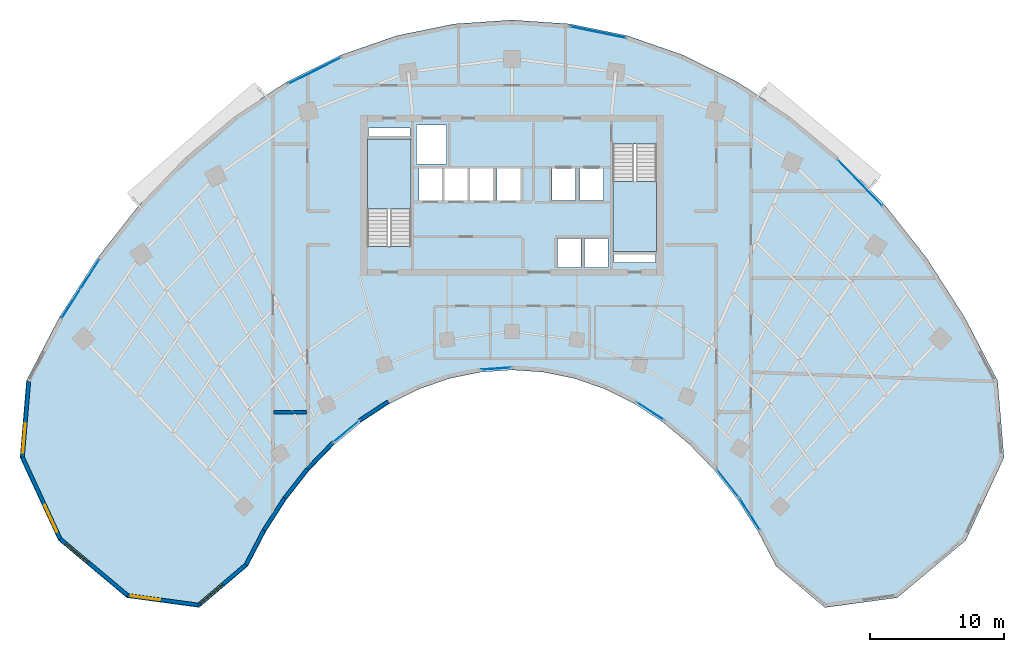
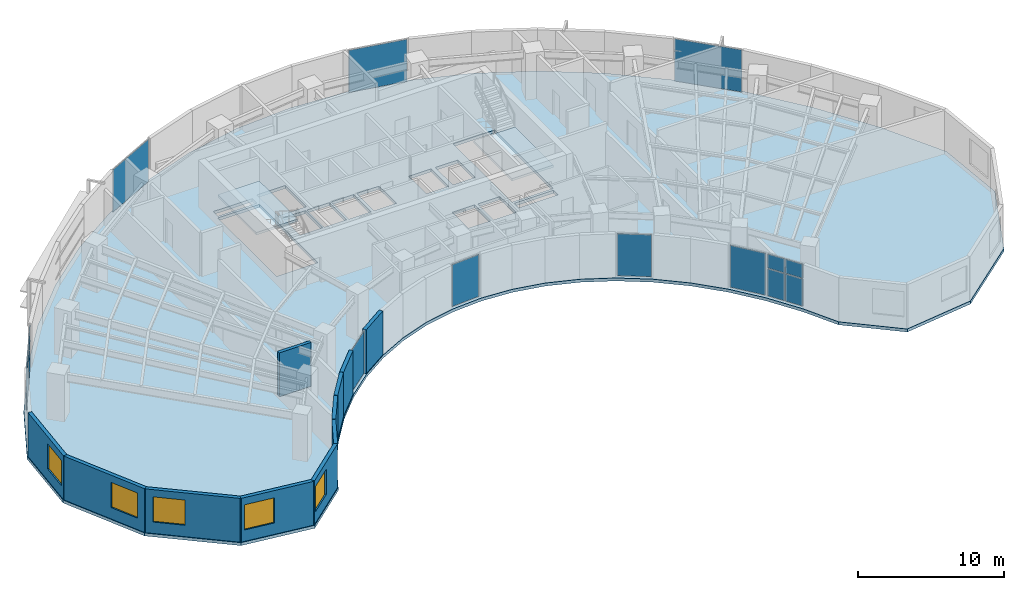
# One storey, part 7 of 13: 15 plates, 11 walls, 5 windows, 3 slabs, 5 openings, 11 elements without a shape of their own.
"""IFC4 building model written with IfcOpenShell, lengths in metres."""

from ifc_helpers import new_model, si_unit, direction, frame, frame_2d, origin, origin_2d, place, context, subcontext, project, spatial, polyline, rectangle, outline, extrude, source, transform, mapped, material, layer, layer_set, type_object, type_shapes, element, fill, aggregate, save


model = new_model("IFC4")

# Units and contexts
model_context = context("Model", 3, precision=1e-05, world=origin(), true_north=direction((0.0, 1.0)))
body_context = subcontext(model_context, "Body", "Model", "MODEL_VIEW")
ifc_project = project(units=[si_unit("LENGTHUNIT", "METRE"), si_unit("AREAUNIT", "SQUARE_METRE"), si_unit("VOLUMEUNIT", "CUBIC_METRE"), si_unit("PLANEANGLEUNIT", "RADIAN"), si_unit("MASSUNIT", "GRAM", prefix="KILO")], contexts=[model_context])

# Site, building, storey
site_placement = place(None, origin())
site = spatial("IfcSite", under=ifc_project, at=site_placement, CompositionType="ELEMENT")
building_placement = place(site_placement, origin())
building = spatial("IfcBuilding", under=site, at=building_placement, Name="Breltana Convention Tower", CompositionType="ELEMENT")
storey_placement = place(building_placement, frame((0.0, 0.0, 127.199951171875)))
storey = spatial("IfcBuildingStorey", under=building, at=storey_placement, Name="L30", CompositionType="ELEMENT", Elevation=127.199951171875)

# Slab
ifc_material_1 = material(Name="Concrete C40/50", Category="concrete")
ifc_layer_1 = layer(ifc_material_1, 0.25, Name="Concrete C40/50")
ifc_layer_set_1 = layer_set([ifc_layer_1], Name="Concrete C40/50")
slab_type_1 = type_object("IfcSlabType", Name="SL-OFF-250", PredefinedType="FLOOR", material=ifc_layer_set_1)
slab_1_placement = place(storey_placement, frame((0.0, 0.0, -0.25)))
element("IfcSlab", 1, at=slab_1_placement, inside=storey, type_object=slab_type_1, Name="L30 Suspended Structural Floor Slab", PredefinedType="FLOOR", context=body_context, shape_type="SweptSolid", body=[
    extrude(outline(polyline([(84.254150390625, 52.3564453125), (81.779052734375, 57.1103515625), (78.958251953125, 61.5048828125), (75.820556640625, 65.494873046875), (72.39794921875, 69.03955078125), (68.7255859375, 72.1025390625), (64.841064453125, 74.652587890625), (60.783935546875, 76.663818359375), (56.59619140625, 78.114990234375), (52.3203125, 78.99169921875), (48.0, 79.284912109375), (43.6796875, 78.99169921875), (39.40380859375, 78.114990234375), (35.216064453125, 76.663818359375), (31.158935546875, 74.652587890625), (27.2744140625, 72.1025390625), (23.60205078125, 69.03955078125), (20.179443359375, 65.494873046875), (17.041748046875, 61.5048828125), (14.220947265625, 57.1103515625), (11.745849609375, 52.3564453125), (11.266357421875, 46.619384765625), (14.128173828125, 40.42919921875), (19.23828125, 36.150146484375), (24.64501953125, 35.4169921875), (28.282958984375, 38.509521484375), (29.62890625, 41.09521484375), (31.1630859375, 43.485107421875), (32.869384765625, 45.655029296875), (34.73095703125, 47.5830078125), (36.728271484375, 49.248779296875), (38.8408203125, 50.6357421875), (41.04736328125, 51.7294921875), (43.324951171875, 52.518798828125), (45.650390625, 52.99560546875), (48.0, 53.155029296875), (50.349609375, 52.99560546875), (52.675048828125, 52.518798828125), (54.95263671875, 51.7294921875), (57.1591796875, 50.6357421875), (59.271728515625, 49.248779296875), (61.26904296875, 47.5830078125), (63.130615234375, 45.655029296875), (64.8369140625, 43.485107421875), (66.37109375, 41.09521484375), (67.717041015625, 38.509521484375), (71.35498046875, 35.4169921875), (76.76171875, 36.150146484375), (81.871826171875, 40.42919921875), (84.733642578125, 46.619384765625), (84.254150390625, 52.3564453125)]), holes=[polyline([(37.199951171875, 62.385009765625), (40.469970703125, 62.385009765625), (40.469970703125, 70.39990234375), (37.199951171875, 70.39990234375), (37.199951171875, 62.385009765625)]), polyline([(55.530029296875, 62.0), (58.800048828125, 62.0), (58.800048828125, 70.014892578125), (55.530029296875, 70.014892578125), (55.530029296875, 62.0)]), polyline([(51.39990234375, 60.800048828125), (53.159912109375, 60.800048828125), (53.159912109375, 62.97998046875), (51.39990234375, 62.97998046875), (51.39990234375, 60.800048828125)]), polyline([(53.39990234375, 60.800048828125), (55.159912109375, 60.800048828125), (55.159912109375, 62.97998046875), (53.39990234375, 62.97998046875), (53.39990234375, 60.800048828125)]), polyline([(41.0400390625, 65.820068359375), (42.800048828125, 65.820068359375), (42.800048828125, 68.179931640625), (41.0400390625, 68.179931640625), (41.0400390625, 65.820068359375)]), polyline([(42.93994140625, 65.820068359375), (44.699951171875, 65.820068359375), (44.699951171875, 68.179931640625), (42.93994140625, 68.179931640625), (42.93994140625, 65.820068359375)]), polyline([(44.8701171875, 65.820068359375), (46.6298828125, 65.820068359375), (46.6298828125, 68.179931640625), (44.8701171875, 68.179931640625), (44.8701171875, 65.820068359375)]), polyline([(46.8701171875, 65.820068359375), (48.6298828125, 65.820068359375), (48.6298828125, 68.179931640625), (46.8701171875, 68.179931640625), (46.8701171875, 65.820068359375)]), polyline([(50.969970703125, 65.800048828125), (52.72998046875, 65.800048828125), (52.72998046875, 68.179931640625), (50.969970703125, 68.179931640625), (50.969970703125, 65.800048828125)]), polyline([(53.070068359375, 65.800048828125), (54.830078125, 65.800048828125), (54.830078125, 68.179931640625), (53.070068359375, 68.179931640625), (53.070068359375, 65.800048828125)]), polyline([(40.8798828125, 68.550048828125), (43.1201171875, 68.550048828125), (43.1201171875, 71.449951171875), (40.8798828125, 71.449951171875), (40.8798828125, 68.550048828125)]), polyline([(37.300048828125, 70.60009765625), (40.3798828125, 70.60009765625), (40.3798828125, 71.219970703125), (37.300048828125, 71.219970703125), (37.300048828125, 70.60009765625)]), polyline([(55.6201171875, 61.179931640625), (58.699951171875, 61.179931640625), (58.699951171875, 61.800048828125), (55.6201171875, 61.800048828125), (55.6201171875, 61.179931640625)])]), origin(), (0.0, 0.0, 1.0), 0.25),
])

# Stair, slab
stair_type = type_object("IfcStairType", Name="ST-DOG-1560-R177", PredefinedType="HALF_TURN_STAIR", material=ifc_material_1)
stair_1_placement = place(storey_placement, origin())
stair_1 = element("IfcStair", 2, at=stair_1_placement, inside=storey, type_object=stair_type, Name="L30 Protected Core Exit Stair ST-1", PredefinedType="HALF_TURN_STAIR")
ifc_layer_2 = layer(ifc_material_1, 0.199951171875, Name="Concrete C40/50")
ifc_layer_set_2 = layer_set([ifc_layer_2], Name="Concrete C40/50")
slab_type_2 = type_object("IfcSlabType", Name="SL-STAIR-LANDING-200", PredefinedType="LANDING", material=ifc_layer_set_2)
slab_2_placement = place(storey_placement, frame((0.0, 0.0, 1.75)))
slab_2 = element("IfcSlab", 3, at=slab_2_placement, type_object=slab_type_2, Name="ST-1 landing 1", PredefinedType="LANDING", context=body_context, shape_type="SweptSolid", body=[
    extrude(outline(polyline([(40.469970703125, 65.159912109375), (40.469970703125, 70.39990234375), (37.199951171875, 70.39990234375), (37.199951171875, 65.159912109375), (40.469970703125, 65.159912109375)])), origin(), (0.0, 0.0, 1.0), 0.199951171875),
])
aggregate(stair_1, [slab_2])

stair_2_placement = place(storey_placement, origin())
stair_2 = element("IfcStair", 4, at=stair_2_placement, inside=storey, type_object=stair_type, Name="L30 Protected Core Exit Stair ST-2", PredefinedType="HALF_TURN_STAIR")
slab_3_placement = place(storey_placement, frame((0.0, 0.0, 1.75)))
slab_3 = element("IfcSlab", 5, at=slab_3_placement, type_object=slab_type_2, Name="ST-2 landing 1", PredefinedType="LANDING", context=body_context, shape_type="SweptSolid", body=[
    extrude(outline(polyline([(55.530029296875, 67.239990234375), (55.530029296875, 62.0), (58.800048828125, 62.0), (58.800048828125, 67.239990234375), (55.530029296875, 67.239990234375)])), origin(), (0.0, 0.0, 1.0), 0.199951171875),
])
aggregate(stair_2, [slab_3])

# Curtain wall, plates
ifc_material_2 = material(Name="Aluminium Anodised Bronze Frame", Category="aluminium")
ifc_layer_3 = layer(ifc_material_2, 0.18994140625, Name="Aluminium Anodised Bronze Frame")
ifc_layer_set_3 = layer_set([ifc_layer_3], Name="Aluminium Anodised Bronze Frame")
curtain_wall_type_1 = type_object("IfcCurtainWallType", Name="CW-SYS-1", PredefinedType="NOTDEFINED", material=ifc_layer_set_3)
curtain_wall_1_placement = place(storey_placement, origin())
curtain_wall_1 = element("IfcCurtainWall", 6, at=curtain_wall_1_placement, inside=storey, type_object=curtain_wall_type_1, Name="L30 inner south-court glazing 1", PredefinedType="NOTDEFINED")
ifc_material_3 = material(Name="Glass Low-E Double Glazing", Category="glass")
ifc_layer_4 = layer(ifc_material_3, 0.028076171875, Name="Glass Low-E Double Glazing")
ifc_layer_set_4 = layer_set([ifc_layer_4], Name="Glass Low-E Double Glazing")
plate_type_1 = type_object("IfcPlateType", Name="CWP-IGU-28", PredefinedType="CURTAIN_PANEL", material=ifc_layer_set_4)
shared_shape_1 = source(origin(), body_context, "Body", "SweptSolid", [
    extrude(rectangle(XDim=1.300048828125, YDim=0.028076171875, at=origin_2d()), origin(), (0.0, 0.0, 1.0), 2.25244140625),
])
plate_1_placement = place(storey_placement, frame((66.128173828125, 41.806640625, 0.080078125), z_axis=(0.0, 0.0, 1.0), x_axis=(-0.5401773017, 0.841551235949, 0.0)))
plate_1 = element("IfcPlate", 7, at=plate_1_placement, type_object=plate_type_1, Name="CW-01 panel 1.1", PredefinedType="CURTAIN_PANEL", context=body_context, shape_type="MappedRepresentation", body=[
    mapped(shared_shape_1, transform((0.0, 0.0, 0.0), scale=1.0)),
])
plate_2_placement = place(storey_placement, frame((65.3828125, 42.968017578125, 0.080078125), z_axis=(0.0, 0.0, 1.0), x_axis=(-0.5401773017, 0.841551235949, 0.0)))
plate_2 = element("IfcPlate", 8, at=plate_2_placement, type_object=plate_type_1, Name="CW-01 panel 2.1", PredefinedType="CURTAIN_PANEL", context=body_context, shape_type="MappedRepresentation", body=[
    mapped(shared_shape_1, transform((0.0, 0.0, 0.0), scale=1.0)),
])
shared_shape_2 = source(origin(), body_context, "Body", "SweptSolid", [
    extrude(rectangle(XDim=1.300048828125, YDim=0.028076171875, at=origin_2d()), origin(), (0.0, 0.0, 1.0), 1.157470703125),
])
plate_3_placement = place(storey_placement, frame((66.128173828125, 41.806640625, 2.41259765625), z_axis=(0.0, 0.0, 1.0), x_axis=(-0.5401773017, 0.841551235949, 0.0)))
plate_3 = element("IfcPlate", 9, at=plate_3_placement, type_object=plate_type_1, Name="CW-01 panel 1.2", PredefinedType="CURTAIN_PANEL", context=body_context, shape_type="MappedRepresentation", body=[
    mapped(shared_shape_2, transform((0.0, 0.0, 0.0), scale=1.0)),
])
plate_4_placement = place(storey_placement, frame((65.3828125, 42.968017578125, 2.41259765625), z_axis=(0.0, 0.0, 1.0), x_axis=(-0.5401773017, 0.841551235949, 0.0)))
plate_4 = element("IfcPlate", 10, at=plate_4_placement, type_object=plate_type_1, Name="CW-01 panel 2.2", PredefinedType="CURTAIN_PANEL", context=body_context, shape_type="MappedRepresentation", body=[
    mapped(shared_shape_2, transform((0.0, 0.0, 0.0), scale=1.0)),
])
aggregate(curtain_wall_1, [plate_1, plate_3, plate_2, plate_4])

# Curtain wall, plate
curtain_wall_2_placement = place(storey_placement, origin())
curtain_wall_2 = element("IfcCurtainWall", 11, at=curtain_wall_2_placement, inside=storey, type_object=curtain_wall_type_1, Name="L30 inner south-court glazing 2", PredefinedType="NOTDEFINED")
shared_shape_3 = source(origin(), body_context, "Body", "SweptSolid", [
    extrude(rectangle(XDim=2.6005859375, YDim=0.028076171875, at=origin_2d()), origin(), (0.0, 0.0, 1.0), 3.489990234375),
])
plate_5_placement = place(storey_placement, frame((64.125244140625, 44.681396484375, 0.080078125), z_axis=(0.0, 0.0, 1.0), x_axis=(-0.61815745037, 0.786054302547, 0.0)))
plate_5 = element("IfcPlate", 12, at=plate_5_placement, type_object=plate_type_1, Name="CW-01 panel 1.1", PredefinedType="CURTAIN_PANEL", context=body_context, shape_type="MappedRepresentation", body=[
    mapped(shared_shape_3, transform((0.0, 0.0, 0.0), scale=1.0)),
])
aggregate(curtain_wall_2, [plate_5])

curtain_wall_3_placement = place(storey_placement, origin())
curtain_wall_3 = element("IfcCurtainWall", 13, at=curtain_wall_3_placement, inside=storey, type_object=curtain_wall_type_1, Name="L30 inner south-court glazing 3", PredefinedType="NOTDEFINED")
shared_shape_4 = source(origin(), body_context, "Body", "SweptSolid", [
    extrude(rectangle(XDim=2.3671875, YDim=0.028076171875, at=origin_2d()), origin(), (0.0, 0.0, 1.0), 3.489990234375),
])
plate_6_placement = place(storey_placement, frame((58.314208984375, 50.0927734375, 0.080078125), z_axis=(0.0, 0.0, 1.0), x_axis=(-0.835967927261, 0.548778301858, 0.0)))
plate_6 = element("IfcPlate", 14, at=plate_6_placement, type_object=plate_type_1, Name="CW-01 panel 1.1", PredefinedType="CURTAIN_PANEL", context=body_context, shape_type="MappedRepresentation", body=[
    mapped(shared_shape_4, transform((0.0, 0.0, 0.0), scale=1.0)),
])
aggregate(curtain_wall_3, [plate_6])

curtain_wall_4_placement = place(storey_placement, origin())
curtain_wall_4 = element("IfcCurtainWall", 15, at=curtain_wall_4_placement, inside=storey, type_object=curtain_wall_type_1, Name="L30 inner south-court glazing 4", PredefinedType="NOTDEFINED")
shared_shape_5 = source(origin(), body_context, "Body", "SweptSolid", [
    extrude(rectangle(XDim=2.195068359375, YDim=0.028076171875, at=origin_2d()), origin(), (0.0, 0.0, 1.0), 3.489990234375),
])
plate_7_placement = place(storey_placement, frame((46.81298828125, 53.2548828125, 0.080078125), z_axis=(0.0, 0.0, 1.0), x_axis=(-0.997703821328, -0.067728021582, 0.0)))
plate_7 = element("IfcPlate", 16, at=plate_7_placement, type_object=plate_type_1, Name="CW-01 panel 1.1", PredefinedType="CURTAIN_PANEL", context=body_context, shape_type="MappedRepresentation", body=[
    mapped(shared_shape_5, transform((0.0, 0.0, 0.0), scale=1.0)),
])
aggregate(curtain_wall_4, [plate_7])

curtain_wall_5_placement = place(storey_placement, origin())
curtain_wall_5 = element("IfcCurtainWall", 17, at=curtain_wall_5_placement, inside=storey, type_object=curtain_wall_type_1, Name="L30 inner south-court glazing 5", PredefinedType="NOTDEFINED")
shared_shape_6 = source(origin(), body_context, "Body", "SweptSolid", [
    extrude(rectangle(XDim=2.44091796875, YDim=0.028076171875, at=origin_2d()), origin(), (0.0, 0.0, 1.0), 3.489990234375),
])
plate_8_placement = place(storey_placement, frame((35.6142578125, 48.553955078125, 0.080078125), z_axis=(0.0, 0.0, 1.0), x_axis=(-0.76794071768, -0.640520924036, 0.0)))
plate_8 = element("IfcPlate", 18, at=plate_8_placement, type_object=plate_type_1, Name="CW-01 panel 1.1", PredefinedType="CURTAIN_PANEL", context=body_context, shape_type="MappedRepresentation", body=[
    mapped(shared_shape_6, transform((0.0, 0.0, 0.0), scale=1.0)),
])
aggregate(curtain_wall_5, [plate_8])

# Curtain wall, plates
ifc_layer_5 = layer(ifc_material_2, 0.22998046875, Name="Aluminium Anodised Bronze Frame")
ifc_layer_set_5 = layer_set([ifc_layer_5], Name="Aluminium Anodised Bronze Frame")
curtain_wall_type_2 = type_object("IfcCurtainWallType", Name="CW-SYS-5", PredefinedType="NOTDEFINED", material=ifc_layer_set_5)
curtain_wall_6_placement = place(storey_placement, origin())
curtain_wall_6 = element("IfcCurtainWall", 19, at=curtain_wall_6_placement, inside=storey, type_object=curtain_wall_type_2, Name="L30 outer double-skin inner glazing 1", PredefinedType="NOTDEFINED")
ifc_layer_6 = layer(ifc_material_3, 0.035888671875, Name="Glass Low-E Double Glazing")
ifc_layer_set_6 = layer_set([ifc_layer_6], Name="Glass Low-E Double Glazing")
plate_type_2 = type_object("IfcPlateType", Name="CWP-IGU-36", PredefinedType="CURTAIN_PANEL", material=ifc_layer_set_6)
shared_shape_7 = source(origin(), body_context, "Body", "SweptSolid", [
    extrude(rectangle(XDim=2.49755859375, YDim=0.035888671875, at=origin_2d()), origin(), (0.0, 0.0, 1.0), 2.267578125),
])
plate_9_placement = place(storey_placement, frame((15.089111328125, 58.1298828125, 0.070068359375), z_axis=(0.0, 0.0, 1.0), x_axis=(0.540176809834, 0.84155155167, 0.0)))
plate_9 = element("IfcPlate", 20, at=plate_9_placement, type_object=plate_type_2, Name="CW-05 panel 1.1", PredefinedType="CURTAIN_PANEL", context=body_context, shape_type="MappedRepresentation", body=[
    mapped(shared_shape_7, transform((0.0, 0.0, 0.0), scale=1.0)),
])
plate_10_placement = place(storey_placement, frame((16.47607421875, 60.29052734375, 0.070068359375), z_axis=(0.0, 0.0, 1.0), x_axis=(0.540176809834, 0.84155155167, 0.0)))
plate_10 = element("IfcPlate", 21, at=plate_10_placement, type_object=plate_type_2, Name="CW-05 panel 2.1", PredefinedType="CURTAIN_PANEL", context=body_context, shape_type="MappedRepresentation", body=[
    mapped(shared_shape_7, transform((0.0, 0.0, 0.0), scale=1.0)),
])
shared_shape_8 = source(origin(), body_context, "Body", "SweptSolid", [
    extrude(rectangle(XDim=2.49755859375, YDim=0.035888671875, at=origin_2d()), origin(), (0.0, 0.0, 1.0), 1.172607421875),
])
plate_11_placement = place(storey_placement, frame((15.089111328125, 58.1298828125, 2.40771484375), z_axis=(0.0, 0.0, 1.0), x_axis=(0.540176809834, 0.84155155167, 0.0)))
plate_11 = element("IfcPlate", 22, at=plate_11_placement, type_object=plate_type_2, Name="CW-05 panel 1.2", PredefinedType="CURTAIN_PANEL", context=body_context, shape_type="MappedRepresentation", body=[
    mapped(shared_shape_8, transform((0.0, 0.0, 0.0), scale=1.0)),
])
plate_12_placement = place(storey_placement, frame((16.47607421875, 60.29052734375, 2.40771484375), z_axis=(0.0, 0.0, 1.0), x_axis=(0.540176809834, 0.84155155167, 0.0)))
plate_12 = element("IfcPlate", 23, at=plate_12_placement, type_object=plate_type_2, Name="CW-05 panel 2.2", PredefinedType="CURTAIN_PANEL", context=body_context, shape_type="MappedRepresentation", body=[
    mapped(shared_shape_8, transform((0.0, 0.0, 0.0), scale=1.0)),
])
aggregate(curtain_wall_6, [plate_9, plate_11, plate_10, plate_12])

# Curtain wall, plate
curtain_wall_7_placement = place(storey_placement, origin())
curtain_wall_7 = element("IfcCurtainWall", 24, at=curtain_wall_7_placement, inside=storey, type_object=curtain_wall_type_2, Name="L30 outer double-skin inner glazing 2", PredefinedType="NOTDEFINED")
shared_shape_9 = source(origin(), body_context, "Body", "SweptSolid", [
    extrude(rectangle(XDim=4.36572265625, YDim=0.035888671875, at=origin_2d()), origin(), (0.0, 0.0, 1.0), 3.510009765625),
])
plate_13_placement = place(storey_placement, frame((33.26708984375, 75.496826171875, 0.06982421875), z_axis=(0.0, 0.0, 1.0), x_axis=(0.895966548937, 0.444121541007, 0.0)))
plate_13 = element("IfcPlate", 25, at=plate_13_placement, type_object=plate_type_2, Name="CW-05 panel 1.1", PredefinedType="CURTAIN_PANEL", context=body_context, shape_type="MappedRepresentation", body=[
    mapped(shared_shape_9, transform((0.0, 0.0, 0.0), scale=1.0)),
])
aggregate(curtain_wall_7, [plate_13])

curtain_wall_8_placement = place(storey_placement, origin())
curtain_wall_8 = element("IfcCurtainWall", 26, at=curtain_wall_8_placement, inside=storey, type_object=curtain_wall_type_2, Name="L30 outer double-skin inner glazing 3", PredefinedType="NOTDEFINED")
shared_shape_10 = source(origin(), body_context, "Body", "SweptSolid", [
    extrude(rectangle(XDim=4.200927734375, YDim=0.035888671875, at=origin_2d()), origin(), (0.0, 0.0, 1.0), 3.510009765625),
])
plate_14_placement = place(storey_placement, frame((54.422119140625, 78.376953125, 0.06982421875), z_axis=(0.0, 0.0, 1.0), x_axis=(0.979620254346, -0.200858550415, 0.0)))
plate_14 = element("IfcPlate", 27, at=plate_14_placement, type_object=plate_type_2, Name="CW-05 panel 1.1", PredefinedType="CURTAIN_PANEL", context=body_context, shape_type="MappedRepresentation", body=[
    mapped(shared_shape_10, transform((0.0, 0.0, 0.0), scale=1.0)),
])
aggregate(curtain_wall_8, [plate_14])

curtain_wall_9_placement = place(storey_placement, origin())
curtain_wall_9 = element("IfcCurtainWall", 28, at=curtain_wall_9_placement, inside=storey, type_object=curtain_wall_type_2, Name="L30 outer double-skin inner glazing 4", PredefinedType="NOTDEFINED")
shared_shape_11 = source(origin(), body_context, "Body", "SweptSolid", [
    extrude(rectangle(XDim=4.7685546875, YDim=0.035888671875, at=origin_2d()), origin(), (0.0, 0.0, 1.0), 3.510009765625),
])
plate_15_placement = place(storey_placement, frame((73.97998046875, 67.141845703125, 0.06982421875), z_axis=(0.0, 0.0, 1.0), x_axis=(0.694611601605, -0.719384961558, 0.0)))
plate_15 = element("IfcPlate", 29, at=plate_15_placement, type_object=plate_type_2, Name="CW-05 panel 1.1", PredefinedType="CURTAIN_PANEL", context=body_context, shape_type="MappedRepresentation", body=[
    mapped(shared_shape_11, transform((0.0, 0.0, 0.0), scale=1.0)),
])
aggregate(curtain_wall_9, [plate_15])

# Wall, opening, window
ifc_material_4 = material(Name="Limestone Buff Insulated Wall", Category="masonry")
ifc_layer_7 = layer(ifc_material_4, 0.280029296875, Name="Limestone Buff Insulated Wall")
ifc_layer_set_7 = layer_set([ifc_layer_7], Name="Limestone Buff Insulated Wall")
wall_type_1 = type_object("IfcWallType", Name="WL-EXT-NOSE-280", PredefinedType="SOLIDWALL", material=ifc_layer_set_7)
shared_shape_12 = source(origin(), body_context, "Body", "SweptSolid", [
    extrude(rectangle(XDim=5.673583984375, YDim=0.280029296875, at=frame_2d((2.8369140625, 0.0))), origin(), (0.0, 0.0, 1.0), 3.650146484375),
])
wall_1_placement = place(storey_placement, frame((11.44970703125, 46.651611328125, 0.0), z_axis=(0.0, 0.0, 1.0), x_axis=(0.083309007867, 0.996523762491, 0.0)))
wall_1 = element("IfcWall", 30, at=wall_1_placement, inside=storey, type_object=wall_type_1, Name="L30 curved limestone nose wall W6", PredefinedType="SOLIDWALL", context=body_context, shape_type="MappedRepresentation", body=[
    mapped(shared_shape_12, transform((0.0, 0.0, 0.0), scale=1.0)),
])
opening_1_placement = place(wall_1_placement, frame((0.318359375, 0.0, 0.949951171875)))
opening_1 = element("IfcOpeningElement", 31, at=opening_1_placement, cuts=wall_1, Name="Opening W-03", PredefinedType="OPENING", context=body_context, shape_type="SweptSolid", body=[
    extrude(rectangle(XDim=2.199951171875, YDim=2.10009765625, at=frame_2d((1.10009765625, 1.050048828125))), frame((0.0, 0.14990234375, 0.0), z_axis=(0.0, -1.0, 0.0), x_axis=(1.0, 0.0, 0.0)), (0.0, 0.0, 1.0), 0.300048828125),
])
ifc_material_5 = material(Name="Glass Low-E Insulated Window", Category="glass")
window_type = type_object("IfcWindowType", Name="WN-NOSE-2200X2100", PartitioningType="TRIPLE_PANEL_VERTICAL", PredefinedType="WINDOW", material=ifc_material_5)
shared_shape_13 = source(origin(), body_context, "Body", "SweptSolid", [
    extrude(rectangle(XDim=2.199951171875, YDim=2.10009765625, at=frame_2d((1.10009765625, 1.050048828125))), frame((0.0, 0.030029296875, 0.0), z_axis=(0.0, -1.0, 0.0), x_axis=(1.0, 0.0, 0.0)), (0.0, 0.0, 1.0), 0.06005859375),
])
type_shapes(window_type, [shared_shape_13])
window_1_placement = place(opening_1_placement, origin())
window_1 = element("IfcWindow", 32, at=window_1_placement, inside=storey, type_object=window_type, Name="L30 nose window W6", OverallHeight=2.10009765625, OverallWidth=2.199951171875, PartitioningType="TRIPLE_PANEL_VERTICAL", PredefinedType="WINDOW", context=body_context, shape_type="MappedRepresentation", body=[
    mapped(shared_shape_13, transform((0.0, 0.0, 0.0), scale=1.0)),
])
fill(opening_1, window_1)

shared_shape_14 = source(origin(), body_context, "Body", "SweptSolid", [
    extrude(rectangle(XDim=6.731689453125, YDim=0.280029296875, at=frame_2d((3.36572265625, 0.0))), origin(), (0.0, 0.0, 1.0), 3.650146484375),
])
wall_2_placement = place(storey_placement, frame((14.274658203125, 40.541259765625, 0.0), z_axis=(0.0, 0.0, 1.0), x_axis=(-0.419644552709, 0.907688520023, 0.0)))
wall_2 = element("IfcWall", 33, at=wall_2_placement, inside=storey, type_object=wall_type_1, Name="L30 curved limestone nose wall W5", PredefinedType="SOLIDWALL", context=body_context, shape_type="MappedRepresentation", body=[
    mapped(shared_shape_14, transform((0.0, 0.0, 0.0), scale=1.0)),
])
opening_2_placement = place(wall_2_placement, frame((0.5830078125, 0.0, 0.949951171875)))
opening_2 = element("IfcOpeningElement", 34, at=opening_2_placement, cuts=wall_2, Name="Opening W-03", PredefinedType="OPENING", context=body_context, shape_type="SweptSolid", body=[
    extrude(rectangle(XDim=2.199951171875, YDim=2.10009765625, at=frame_2d((1.10009765625, 1.050048828125))), frame((0.0, 0.14990234375, 0.0), z_axis=(0.0, -1.0, 0.0), x_axis=(1.0, 0.0, 0.0)), (0.0, 0.0, 1.0), 0.300048828125),
])
window_2_placement = place(opening_2_placement, origin())
window_2 = element("IfcWindow", 35, at=window_2_placement, inside=storey, type_object=window_type, Name="L30 nose window W5", OverallHeight=2.10009765625, OverallWidth=2.199951171875, PartitioningType="TRIPLE_PANEL_VERTICAL", PredefinedType="WINDOW", context=body_context, shape_type="MappedRepresentation", body=[
    mapped(shared_shape_13, transform((0.0, 0.0, 0.0), scale=1.0)),
])
fill(opening_2, window_2)

shared_shape_15 = source(origin(), body_context, "Body", "SweptSolid", [
    extrude(rectangle(XDim=6.572998046875, YDim=0.280029296875, at=frame_2d((3.28662109375, 0.0))), origin(), (0.0, 0.0, 1.0), 3.650146484375),
])
wall_3_placement = place(storey_placement, frame((19.314208984375, 36.321533203125, 0.0), z_axis=(0.0, 0.0, 1.0), x_axis=(-0.766715154163, 0.641987439423, 0.0)))
wall_3 = element("IfcWall", 36, at=wall_3_placement, inside=storey, type_object=wall_type_1, Name="L30 curved limestone nose wall W4", PredefinedType="SOLIDWALL", context=body_context, shape_type="MappedRepresentation", body=[
    mapped(shared_shape_15, transform((0.0, 0.0, 0.0), scale=1.0)),
])
opening_3_placement = place(wall_3_placement, frame((3.82958984375, 0.0, 0.949951171875)))
opening_3 = element("IfcOpeningElement", 37, at=opening_3_placement, cuts=wall_3, Name="Opening W-03", PredefinedType="OPENING", context=body_context, shape_type="SweptSolid", body=[
    extrude(rectangle(XDim=2.199951171875, YDim=2.10009765625, at=frame_2d((1.10009765625, 1.050048828125))), frame((0.0, 0.14990234375, 0.0), z_axis=(0.0, -1.0, 0.0), x_axis=(1.0, 0.0, 0.0)), (0.0, 0.0, 1.0), 0.300048828125),
])
window_3_placement = place(opening_3_placement, origin())
window_3 = element("IfcWindow", 38, at=window_3_placement, inside=storey, type_object=window_type, Name="L30 nose window W4", OverallHeight=2.10009765625, OverallWidth=2.199951171875, PartitioningType="TRIPLE_PANEL_VERTICAL", PredefinedType="WINDOW", context=body_context, shape_type="MappedRepresentation", body=[
    mapped(shared_shape_13, transform((0.0, 0.0, 0.0), scale=1.0)),
])
fill(opening_3, window_3)

shared_shape_16 = source(origin(), body_context, "Body", "SweptSolid", [
    extrude(rectangle(XDim=5.32373046875, YDim=0.280029296875, at=frame_2d((2.661865234375, 0.0))), origin(), (0.0, 0.0, 1.0), 3.650146484375),
])
wall_4_placement = place(storey_placement, frame((24.589599609375, 35.606201171875, 0.0), z_axis=(0.0, 0.0, 1.0), x_axis=(-0.990931467223, 0.134368252451, 0.0)))
wall_4 = element("IfcWall", 39, at=wall_4_placement, inside=storey, type_object=wall_type_1, Name="L30 curved limestone nose wall W3", PredefinedType="SOLIDWALL", context=body_context, shape_type="MappedRepresentation", body=[
    mapped(shared_shape_16, transform((0.0, 0.0, 0.0), scale=1.0)),
])
opening_4_placement = place(wall_4_placement, frame((2.892822265625, 0.0, 0.949951171875)))
opening_4 = element("IfcOpeningElement", 40, at=opening_4_placement, cuts=wall_4, Name="Opening W-03", PredefinedType="OPENING", context=body_context, shape_type="SweptSolid", body=[
    extrude(rectangle(XDim=2.199951171875, YDim=2.10009765625, at=frame_2d((1.10009765625, 1.050048828125))), frame((0.0, 0.14990234375, 0.0), z_axis=(0.0, -1.0, 0.0), x_axis=(1.0, 0.0, 0.0)), (0.0, 0.0, 1.0), 0.300048828125),
])
window_4_placement = place(opening_4_placement, origin())
window_4 = element("IfcWindow", 41, at=window_4_placement, inside=storey, type_object=window_type, Name="L30 nose window W3", OverallHeight=2.10009765625, OverallWidth=2.199951171875, PartitioningType="TRIPLE_PANEL_VERTICAL", PredefinedType="WINDOW", context=body_context, shape_type="MappedRepresentation", body=[
    mapped(shared_shape_13, transform((0.0, 0.0, 0.0), scale=1.0)),
])
fill(opening_4, window_4)

shared_shape_17 = source(origin(), body_context, "Body", "SweptSolid", [
    extrude(rectangle(XDim=4.6591796875, YDim=0.280029296875, at=frame_2d((2.32958984375, 0.0))), origin(), (0.0, 0.0, 1.0), 3.650146484375),
])
wall_5_placement = place(storey_placement, frame((28.139404296875, 38.623779296875, 0.0), z_axis=(0.0, 0.0, 1.0), x_axis=(-0.761913458795, -0.647678841176, 0.0)))
wall_5 = element("IfcWall", 42, at=wall_5_placement, inside=storey, type_object=wall_type_1, Name="L30 curved limestone nose wall W2", PredefinedType="SOLIDWALL", context=body_context, shape_type="MappedRepresentation", body=[
    mapped(shared_shape_17, transform((0.0, 0.0, 0.0), scale=1.0)),
])
opening_5_placement = place(wall_5_placement, frame((2.29931640625, 0.0, 0.949951171875)))
opening_5 = element("IfcOpeningElement", 43, at=opening_5_placement, cuts=wall_5, Name="Opening W-03", PredefinedType="OPENING", context=body_context, shape_type="SweptSolid", body=[
    extrude(rectangle(XDim=2.199951171875, YDim=2.10009765625, at=frame_2d((1.10009765625, 1.050048828125))), frame((0.0, 0.14990234375, 0.0), z_axis=(0.0, -1.0, 0.0), x_axis=(1.0, 0.0, 0.0)), (0.0, 0.0, 1.0), 0.300048828125),
])
window_5_placement = place(opening_5_placement, origin())
window_5 = element("IfcWindow", 44, at=window_5_placement, inside=storey, type_object=window_type, Name="L30 nose window W2", OverallHeight=2.10009765625, OverallWidth=2.199951171875, PartitioningType="TRIPLE_PANEL_VERTICAL", PredefinedType="WINDOW", context=body_context, shape_type="MappedRepresentation", body=[
    mapped(shared_shape_13, transform((0.0, 0.0, 0.0), scale=1.0)),
])
fill(opening_5, window_5)

# Walls
shared_shape_18 = source(origin(), body_context, "Body", "SweptSolid", [
    extrude(rectangle(XDim=2.8798828125, YDim=0.280029296875, at=frame_2d((1.43994140625, 0.0))), origin(), (0.0, 0.0, 1.0), 3.650146484375),
])
wall_6_placement = place(storey_placement, frame((29.46923828125, 41.17822265625, 0.0), z_axis=(0.0, 0.0, 1.0), x_axis=(-0.461769086658, -0.887000175088, 0.0)))
element("IfcWall", 45, at=wall_6_placement, inside=storey, type_object=wall_type_1, Name="L30 curved limestone nose wall W1", PredefinedType="SOLIDWALL", context=body_context, shape_type="MappedRepresentation", body=[
    mapped(shared_shape_18, transform((0.0, 0.0, 0.0), scale=1.0)),
])
shared_shape_19 = source(origin(), body_context, "Body", "SweptSolid", [
    extrude(rectangle(XDim=2.679931640625, YDim=0.280029296875, at=frame_2d((1.33984375, 0.0))), origin(), (0.0, 0.0, 1.0), 3.650146484375),
])
wall_7_placement = place(storey_placement, frame((34.601318359375, 47.7080078125, 0.0), z_axis=(0.0, 0.0, 1.0), x_axis=(-0.694561996568, -0.719432855049, 0.0)))
element("IfcWall", 46, at=wall_7_placement, inside=storey, type_object=wall_type_1, Name="L30 curved limestone nose wall E17", PredefinedType="SOLIDWALL", context=body_context, shape_type="MappedRepresentation", body=[
    mapped(shared_shape_19, transform((0.0, 0.0, 0.0), scale=1.0)),
])
shared_shape_20 = source(origin(), body_context, "Body", "SweptSolid", [
    extrude(rectangle(XDim=2.52734375, YDim=0.280029296875, at=frame_2d((1.263671875, 0.0))), origin(), (0.0, 0.0, 1.0), 3.650146484375),
])
wall_8_placement = place(storey_placement, frame((38.7421875, 50.7861328125, 0.0), z_axis=(0.0, 0.0, 1.0), x_axis=(-0.836011905051, -0.548711303523, 0.0)))
element("IfcWall", 47, at=wall_8_placement, inside=storey, type_object=wall_type_1, Name="L30 curved limestone nose wall E16", PredefinedType="SOLIDWALL", context=body_context, shape_type="MappedRepresentation", body=[
    mapped(shared_shape_20, transform((0.0, 0.0, 0.0), scale=1.0)),
])
shared_shape_21 = source(origin(), body_context, "Body", "SweptSolid", [
    extrude(rectangle(XDim=2.760498046875, YDim=0.280029296875, at=frame_2d((1.38037109375, 0.0))), origin(), (0.0, 0.0, 1.0), 3.650146484375),
])
wall_9_placement = place(storey_placement, frame((32.72802734375, 45.766357421875, 0.0), z_axis=(0.0, 0.0, 1.0), x_axis=(-0.618180818641, -0.786035925047, 0.0)))
element("IfcWall", 48, at=wall_9_placement, inside=storey, type_object=wall_type_1, Name="L30 curved limestone nose wall E18", PredefinedType="SOLIDWALL", context=body_context, shape_type="MappedRepresentation", body=[
    mapped(shared_shape_21, transform((0.0, 0.0, 0.0), scale=1.0)),
])
shared_shape_22 = source(origin(), body_context, "Body", "SweptSolid", [
    extrude(rectangle(XDim=2.83984375, YDim=0.280029296875, at=frame_2d((1.419921875, 0.0))), origin(), (0.0, 0.0, 1.0), 3.650146484375),
])
wall_10_placement = place(storey_placement, frame((31.011474609375, 43.582275390625, 0.0), z_axis=(0.0, 0.0, 1.0), x_axis=(-0.540214368057, -0.841527442538, 0.0)))
element("IfcWall", 49, at=wall_10_placement, inside=storey, type_object=wall_type_1, Name="L30 curved limestone nose wall E19", PredefinedType="SOLIDWALL", context=body_context, shape_type="MappedRepresentation", body=[
    mapped(shared_shape_22, transform((0.0, 0.0, 0.0), scale=1.0)),
])
ifc_material_6 = material(Name="Gypsum Acoustic Double Stud Wall")
ifc_layer_8 = layer(ifc_material_6, 0.25, Name="Gypsum Acoustic Double Stud Wall")
ifc_layer_set_8 = layer_set([ifc_layer_8], Name="Gypsum Acoustic Double Stud Wall")
wall_type_2 = type_object("IfcWallType", Name="WL-ACOUSTIC-250", PredefinedType="PARTITIONING", material=ifc_layer_set_8)
shared_shape_23 = source(origin(), body_context, "Body", "SweptSolid", [
    extrude(rectangle(XDim=2.5, YDim=0.25, at=frame_2d((1.25, 0.0))), origin(), (0.0, 0.0, 1.0), 3.650146484375),
])
wall_11_placement = place(storey_placement, frame((30.199951171875, 50.0, 0.0), z_axis=(0.0, 0.0, 1.0), x_axis=(1.0, 0.0, 0.0)))
element("IfcWall", 50, at=wall_11_placement, inside=storey, type_object=wall_type_2, Name="L30 interior partition W-L30-CORNW-S", PredefinedType="PARTITIONING", context=body_context, shape_type="MappedRepresentation", body=[
    mapped(shared_shape_23, transform((0.0, 0.0, 0.0), scale=1.0)),
])

save(model, "model.ifc")
